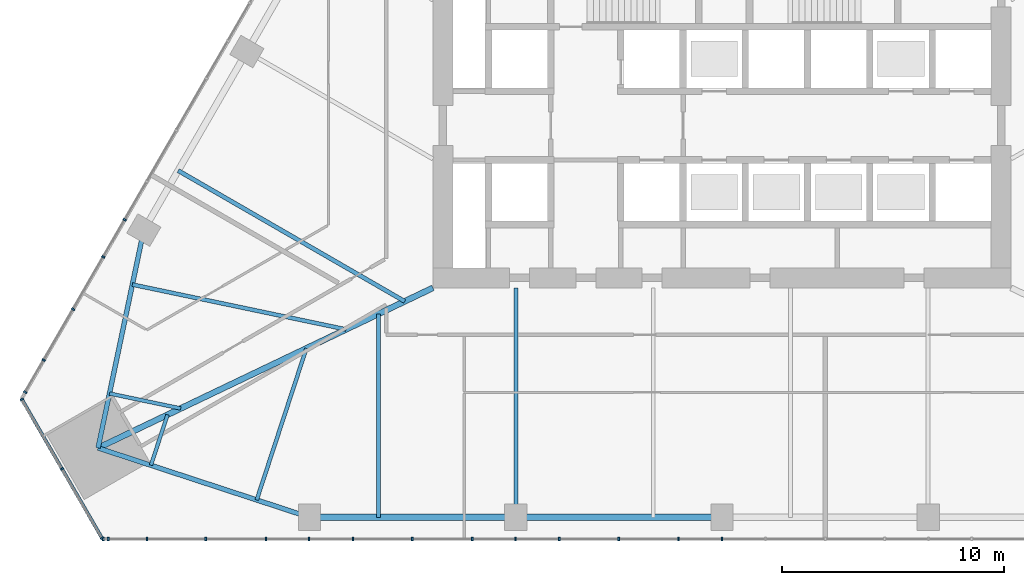
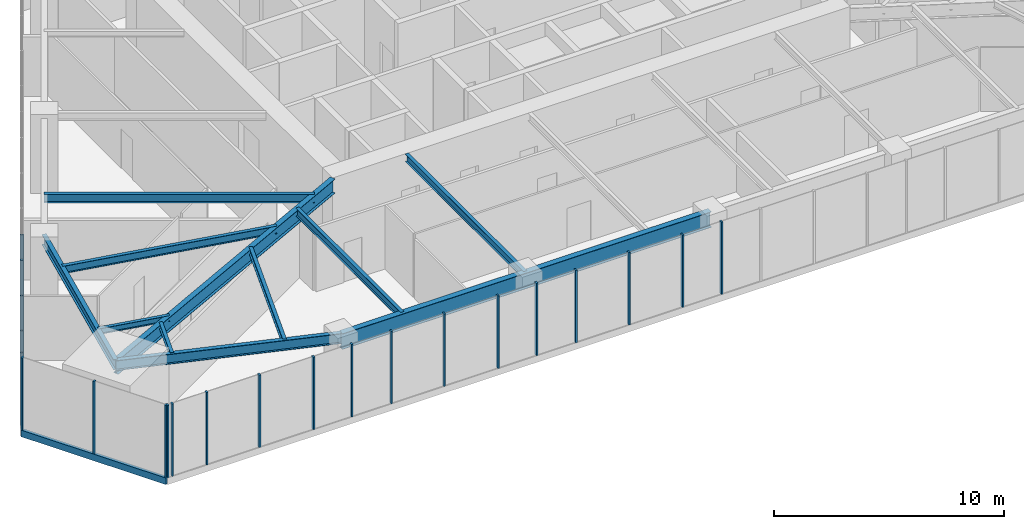
# One storey, part 2 of 22: 23 members, 11 beams, 3 elements without a shape of their own.
"""IFC4 building model written with IfcOpenShell, lengths in metres."""

import ifcopenshell
import ifcopenshell.guid

model = None  # the IFC model being written
_history = None  # IfcOwnerHistory: only IFC2X3 demands one
_inside = {}  # id of a spatial element -> (the spatial element, [elements in it])
_under = {}  # id of a project, library or spatial element -> (it, [spatial elements below it])
_declared = {}  # id of a project -> (the project, [libraries it declares])
_typed = {}  # id of a type object -> (the type object, [elements of that type])
_made_of = {}  # id of a material, layer set ... -> (it, [elements and type objects made of it])


def new_model(schema):
    """Start an empty IFC model of exactly this schema.

    Asked for "IFC4X3", IfcOpenShell would pick the latest addendum, in which some entities
    have other attributes; the version numbers below select the first issue.
    IFC2X3 requires an IfcOwnerHistory on every rooted entity: one is made here for all.
    """
    global model, _history
    if schema == "IFC4X3":
        model = ifcopenshell.file(schema_version=(4, 3, 0, 0))
    else:
        model = ifcopenshell.file(schema=schema)
    _inside.clear()
    _under.clear()
    _declared.clear()
    _typed.clear()
    _made_of.clear()
    _history = None
    if model.schema == "IFC2X3":
        org = make("IfcOrganization", Name="unknown")
        user = make(
            "IfcPersonAndOrganization",
            ThePerson=make("IfcPerson", FamilyName="unknown"),
            TheOrganization=org,
        )
        app = make(
            "IfcApplication",
            ApplicationDeveloper=org,
            Version="unknown",
            ApplicationFullName="unknown",
            ApplicationIdentifier="unknown",
        )
        _history = make(
            "IfcOwnerHistory",
            OwningUser=user,
            OwningApplication=app,
            ChangeAction="ADDED",
            CreationDate=0,
        )
    return model


def make(cls, **values):
    """One entity of the class cls with the attributes given. An attribute that is None is left unset."""
    return model.create_entity(
        cls, **{name: value for name, value in values.items() if value is not None}
    )


def rooted(cls, **values):
    """An entity with a GlobalId (a new one), such as an element, a storey or a relation."""
    return make(cls, GlobalId=ifcopenshell.guid.new(), OwnerHistory=_history, **values)


def si_unit(unit_type, name, prefix=None):
    """IfcSIUnit, for example si_unit("LENGTHUNIT", "METRE", prefix="MILLI")."""
    return make("IfcSIUnit", UnitType=unit_type, Prefix=prefix, Name=name)


def assignment(units):
    """IfcUnitAssignment: the units of a project."""
    return None if units is None else make("IfcUnitAssignment", Units=units)


def point(xyz):
    """IfcCartesianPoint."""
    return None if xyz is None else make("IfcCartesianPoint", Coordinates=xyz)


def direction(xyz):
    """IfcDirection."""
    return None if xyz is None else make("IfcDirection", DirectionRatios=xyz)


def frame(location, z_axis=None, x_axis=None):
    """IfcAxis2Placement3D, a coordinate frame: its origin and axes. An axis left out is left unset."""
    return make(
        "IfcAxis2Placement3D",
        Location=point(location),
        Axis=direction(z_axis),
        RefDirection=direction(x_axis),
    )


def frame_2d(location, x_axis=None):
    """IfcAxis2Placement2D, a coordinate frame in the plane: its origin and x axis."""
    return make(
        "IfcAxis2Placement2D", Location=point(location), RefDirection=direction(x_axis)
    )


def origin():
    """The frame at (0, 0, 0) with its axes left unset."""
    return frame((0.0, 0.0, 0.0))


def origin_2d():
    """The frame at (0, 0) in the plane with its x axis left unset."""
    return frame_2d((0.0, 0.0))


def place(relative_to, where):
    """IfcLocalPlacement: puts the frame where relative to a parent placement (None: the world)."""
    return make(
        "IfcLocalPlacement", PlacementRelTo=relative_to, RelativePlacement=where
    )


def context(
    kind, dimensions, precision=None, world=None, true_north=None, identifier=None
):
    """IfcGeometricRepresentationContext, for example the 3D "Model" context."""
    return make(
        "IfcGeometricRepresentationContext",
        ContextIdentifier=identifier,
        ContextType=kind,
        CoordinateSpaceDimension=dimensions,
        Precision=precision,
        WorldCoordinateSystem=world,
        TrueNorth=true_north,
    )


def subcontext(parent, identifier, kind, view, scale=None):
    """IfcGeometricRepresentationSubContext, for example "Body" below "Model"."""
    return make(
        "IfcGeometricRepresentationSubContext",
        ContextIdentifier=identifier,
        ContextType=kind,
        ParentContext=parent,
        TargetScale=scale,
        TargetView=view,
    )


def project(units=None, contexts=None):
    """IfcProject with its units and contexts."""
    return rooted(
        "IfcProject",
        Name="project",
        RepresentationContexts=contexts,
        UnitsInContext=assignment(units),
    )


def spatial(cls, under=None, at=None, **own):
    """A site, building, storey or space (cls), placed at a placement, below another one or the project."""
    s = rooted(cls, ObjectPlacement=at, **own)
    if under is not None:
        _under.setdefault(under.id(), (under, []))[1].append(s)
    return s


def profile(cls, at=None, kind="AREA", **sizes):
    """A parametric profile (cls). Its sizes go by their IFC names, for example OverallWidth=200.0."""
    return make(cls, ProfileType=kind, Position=at, **sizes)


def rectangle(**sizes):
    """IfcRectangleProfileDef."""
    return profile("IfcRectangleProfileDef", **sizes)


def i_section(**sizes):
    """IfcIShapeProfileDef."""
    return profile("IfcIShapeProfileDef", **sizes)


def extrude(swept, where, along, depth):
    """IfcExtrudedAreaSolid: the profile swept, set in the frame where, extruded along a direction by depth."""
    return make(
        "IfcExtrudedAreaSolid",
        SweptArea=swept,
        Position=where,
        ExtrudedDirection=direction(along),
        Depth=depth,
    )


def shape(context_of_items, identifier, shape_type, items):
    """IfcShapeRepresentation: the items that make up one representation, for example the "Body"."""
    return make(
        "IfcShapeRepresentation",
        ContextOfItems=context_of_items,
        RepresentationIdentifier=identifier,
        RepresentationType=shape_type,
        Items=items,
    )


def material(Name=None, Category=None):
    """IfcMaterial."""
    return make("IfcMaterial", Name=Name, Category=Category)


def layer(
    of_material, thickness, ventilated=None, Name=None, Category=None, Priority=None
):
    """IfcMaterialLayer: one layer of a wall or slab, of a material (None: an air gap)."""
    return make(
        "IfcMaterialLayer",
        Material=of_material,
        LayerThickness=thickness,
        IsVentilated=ventilated,
        Name=Name,
        Category=Category,
        Priority=Priority,
    )


def layer_set(layers, Name=None):
    """IfcMaterialLayerSet."""
    return make("IfcMaterialLayerSet", MaterialLayers=layers, LayerSetName=Name)


def material_profile(
    of_material, cross_section, Name=None, Category=None, Priority=None
):
    """IfcMaterialProfile: a cross section and its material."""
    return make(
        "IfcMaterialProfile",
        Name=Name,
        Material=of_material,
        Profile=cross_section,
        Priority=Priority,
        Category=Category,
    )


def profile_set(profiles, Name=None, composite=None):
    """IfcMaterialProfileSet."""
    return make(
        "IfcMaterialProfileSet",
        Name=Name,
        MaterialProfiles=profiles,
        CompositeProfile=composite,
    )


def made_of(thing, what):
    """Note that an element or type object is made of a material, layer set ...; save() writes the relation."""
    if what is not None:
        _made_of.setdefault(what.id(), (what, []))[1].append(thing)
    return thing


def type_object(cls, material=None, **own):
    """A type object (cls), such as IfcWallType, which elements share."""
    return made_of(rooted(cls, **own), material)


def element(
    cls,
    number,
    at=None,
    inside=None,
    cuts=None,
    type_object=None,
    material=None,
    context=None,
    identifier="Body",
    shape_type=None,
    held_by="IfcProductDefinitionShape",
    body=None,
    shapes=None,
    **own,
):
    """One element of the class cls, such as IfcWall. Its Tag is "e" and its number.

    at: its placement. inside: the storey or other place that contains it. cuts: it is an
    opening in that element (IfcRelVoidsElement). A single representation is given by context,
    identifier, shape_type and body (its items); several are given by shapes. held_by: the class
    of the entity that holds the representations. save() writes the other relations.
    """
    e = rooted(cls, Tag="e%d" % number, ObjectPlacement=at, **own)
    if body is not None:
        shapes = [shape(context, identifier, shape_type, body)]
    if shapes is not None:
        e.Representation = make(held_by, Representations=shapes)
    if inside is not None:
        _inside.setdefault(inside.id(), (inside, []))[1].append(e)
    if cuts is not None:
        rooted(
            "IfcRelVoidsElement", RelatingBuildingElement=cuts, RelatedOpeningElement=e
        )
    if type_object is not None:
        _typed.setdefault(type_object.id(), (type_object, []))[1].append(e)
    return made_of(e, material)


def aggregate(whole, parts):
    """IfcRelAggregates: a whole, such as a stair, and the parts it consists of."""
    return rooted("IfcRelAggregates", RelatingObject=whole, RelatedObjects=parts)


def save(model, path):
    """Write the relations noted so far, then the file.

    IfcRelAggregates (storeys below a building ...), IfcRelContainedInSpatialStructure (elements
    in a storey), IfcRelDefinesByType, IfcRelAssociatesMaterial and IfcRelDeclares: one each for
    every whole, place, type object, material and project.
    """
    for whole, parts in _under.values():
        aggregate(whole, parts)
    for where, things in _inside.values():
        rooted(
            "IfcRelContainedInSpatialStructure",
            RelatedElements=things,
            RelatingStructure=where,
        )
    for kind, things in _typed.values():
        rooted("IfcRelDefinesByType", RelatedObjects=things, RelatingType=kind)
    for what, things in _made_of.values():
        rooted("IfcRelAssociatesMaterial", RelatedObjects=things, RelatingMaterial=what)
    for by, libraries in _declared.values():
        rooted("IfcRelDeclares", RelatingContext=by, RelatedDefinitions=libraries)
    model.write(path)


model = new_model("IFC4")

# Units and contexts
model_context = context("Model", 3, precision=1e-05, world=origin(), true_north=direction((0.0, 1.0)))
body_context = subcontext(model_context, "Body", "Model", "MODEL_VIEW")
ifc_project = project(units=[si_unit("LENGTHUNIT", "METRE"), si_unit("AREAUNIT", "SQUARE_METRE"), si_unit("VOLUMEUNIT", "CUBIC_METRE"), si_unit("PLANEANGLEUNIT", "RADIAN"), si_unit("MASSUNIT", "GRAM", prefix="KILO")], contexts=[model_context])

# Site, building, storey
site_placement = place(None, origin())
site = spatial("IfcSite", under=ifc_project, at=site_placement, CompositionType="ELEMENT")
building_placement = place(site_placement, origin())
building = spatial("IfcBuilding", under=site, at=building_placement, Name="Firuza Gate Tower and Library", CompositionType="ELEMENT")
storey_placement = place(building_placement, frame((0.0, 0.0, 128.199951171875)))
storey = spatial("IfcBuildingStorey", under=building, at=storey_placement, Name="L29", CompositionType="ELEMENT", Elevation=128.199951171875)

# Curtain wall, members
ifc_material_1 = material(Name="Aluminium 6063-T6", Category="aluminium")
ifc_layer_1 = layer(ifc_material_1, 0.14990234375)
ifc_layer_set_1 = layer_set([ifc_layer_1], Name="Unitised curtain wall, offices")
curtain_wall_type_1 = type_object("IfcCurtainWallType", Name="Unitised curtain wall, offices", PredefinedType="NOTDEFINED", material=ifc_layer_set_1)
placement = place(storey_placement, origin())
curtain_wall_1 = element("IfcCurtainWall", 1, at=placement, inside=storey, type_object=curtain_wall_type_1, Name="CW1 L29 S face", PredefinedType="NOTDEFINED")
ifc_material_2 = material(Name="Aluminium 6063-T6", Category="aluminium")
ifc_material_profile_1 = material_profile(ifc_material_2, rectangle(XDim=0.14990234375, YDim=0.080078125, at=origin_2d()))
ifc_profile_set_1 = profile_set([ifc_material_profile_1], Name="Aluminium 6063-T6")
member_type_1 = type_object("IfcMemberType", Name="Curtain wall mullion 80x150", PredefinedType="MULLION", material=ifc_profile_set_1)
member_1_placement = place(storey_placement, frame((47.179931640625, 54.7080078125, 0.150146484375), z_axis=(0.0, 0.0, 1.0), x_axis=(0.0, 1.0, 0.0)))
member_1 = element("IfcMember", 2, at=member_1_placement, type_object=member_type_1, Name="Mullion", PredefinedType="MULLION", context=body_context, shape_type="SweptSolid", body=[
    extrude(rectangle(XDim=0.14990234375, YDim=0.080078125, at=origin_2d()), origin(), (0.0, 0.0, 1.0), 3.849853515625),
])
member_2_placement = place(storey_placement, frame((51.783203125, 54.7080078125, 0.150146484375), z_axis=(0.0, 0.0, 1.0), x_axis=(0.0, 1.0, 0.0)))
member_2 = element("IfcMember", 3, at=member_2_placement, type_object=member_type_1, Name="Mullion", PredefinedType="MULLION", context=body_context, shape_type="SweptSolid", body=[
    extrude(rectangle(XDim=0.14990234375, YDim=0.080078125, at=origin_2d()), origin(), (0.0, 0.0, 1.0), 3.849853515625),
])
member_3_placement = place(storey_placement, frame((56.426513671875, 54.7080078125, 0.150146484375), z_axis=(0.0, 0.0, 1.0), x_axis=(0.0, 1.0, 0.0)))
member_3 = element("IfcMember", 4, at=member_3_placement, type_object=member_type_1, Name="Mullion", PredefinedType="MULLION", context=body_context, shape_type="SweptSolid", body=[
    extrude(rectangle(XDim=0.14990234375, YDim=0.080078125, at=origin_2d()), origin(), (0.0, 0.0, 1.0), 3.849853515625),
])
member_4_placement = place(storey_placement, frame((61.06982421875, 54.7080078125, 0.150146484375), z_axis=(0.0, 0.0, 1.0), x_axis=(0.0, 1.0, 0.0)))
member_4 = element("IfcMember", 5, at=member_4_placement, type_object=member_type_1, Name="Mullion", PredefinedType="MULLION", context=body_context, shape_type="SweptSolid", body=[
    extrude(rectangle(XDim=0.14990234375, YDim=0.080078125, at=origin_2d()), origin(), (0.0, 0.0, 1.0), 3.849853515625),
])
member_5_placement = place(storey_placement, frame((65.71337890625, 54.7080078125, 0.150146484375), z_axis=(0.0, 0.0, 1.0), x_axis=(0.0, 1.0, 0.0)))
member_5 = element("IfcMember", 6, at=member_5_placement, type_object=member_type_1, Name="Mullion", PredefinedType="MULLION", context=body_context, shape_type="SweptSolid", body=[
    extrude(rectangle(XDim=0.14990234375, YDim=0.080078125, at=origin_2d()), origin(), (0.0, 0.0, 1.0), 3.849853515625),
])
member_6_placement = place(storey_placement, frame((70.356689453125, 54.7080078125, 0.150146484375), z_axis=(0.0, 0.0, 1.0), x_axis=(0.0, 1.0, 0.0)))
member_6 = element("IfcMember", 7, at=member_6_placement, type_object=member_type_1, Name="Mullion", PredefinedType="MULLION", context=body_context, shape_type="SweptSolid", body=[
    extrude(rectangle(XDim=0.14990234375, YDim=0.080078125, at=origin_2d()), origin(), (0.0, 0.0, 1.0), 3.849853515625),
])
member_7_placement = place(storey_placement, frame((75.0, 54.7080078125, 0.150146484375), z_axis=(0.0, 0.0, 1.0), x_axis=(0.0, 1.0, 0.0)))
member_7 = element("IfcMember", 8, at=member_7_placement, type_object=member_type_1, Name="Mullion", PredefinedType="MULLION", context=body_context, shape_type="SweptSolid", body=[
    extrude(rectangle(XDim=0.14990234375, YDim=0.080078125, at=origin_2d()), origin(), (0.0, 0.0, 1.0), 3.849853515625),
])
member_8_placement = place(storey_placement, frame((47.406005859375, 54.7080078125, 0.150146484375), z_axis=(0.0, 0.0, 1.0), x_axis=(0.0, 1.0, 0.0)))
member_8 = element("IfcMember", 9, at=member_8_placement, type_object=member_type_1, Name="Mullion", PredefinedType="MULLION", context=body_context, shape_type="SweptSolid", body=[
    extrude(rectangle(XDim=0.14990234375, YDim=0.080078125, at=origin_2d()), origin(), (0.0, 0.0, 1.0), 3.849853515625),
])
member_9_placement = place(storey_placement, frame((49.13916015625, 54.7080078125, 0.150146484375), z_axis=(0.0, 0.0, 1.0), x_axis=(0.0, 1.0, 0.0)))
member_9 = element("IfcMember", 10, at=member_9_placement, type_object=member_type_1, Name="Mullion", PredefinedType="MULLION", context=body_context, shape_type="SweptSolid", body=[
    extrude(rectangle(XDim=0.14990234375, YDim=0.080078125, at=origin_2d()), origin(), (0.0, 0.0, 1.0), 3.849853515625),
])
member_10_placement = place(storey_placement, frame((54.499267578125, 54.7080078125, 0.150146484375), z_axis=(0.0, 0.0, 1.0), x_axis=(0.0, 1.0, 0.0)))
member_10 = element("IfcMember", 11, at=member_10_placement, type_object=member_type_1, Name="Mullion", PredefinedType="MULLION", context=body_context, shape_type="SweptSolid", body=[
    extrude(rectangle(XDim=0.14990234375, YDim=0.080078125, at=origin_2d()), origin(), (0.0, 0.0, 1.0), 3.849853515625),
])
member_11_placement = place(storey_placement, frame((58.41162109375, 54.7080078125, 0.150146484375), z_axis=(0.0, 0.0, 1.0), x_axis=(0.0, 1.0, 0.0)))
member_11 = element("IfcMember", 12, at=member_11_placement, type_object=member_type_1, Name="Mullion", PredefinedType="MULLION", context=body_context, shape_type="SweptSolid", body=[
    extrude(rectangle(XDim=0.14990234375, YDim=0.080078125, at=origin_2d()), origin(), (0.0, 0.0, 1.0), 3.849853515625),
])
member_12_placement = place(storey_placement, frame((63.771728515625, 54.7080078125, 0.150146484375), z_axis=(0.0, 0.0, 1.0), x_axis=(0.0, 1.0, 0.0)))
member_12 = element("IfcMember", 13, at=member_12_placement, type_object=member_type_1, Name="Mullion", PredefinedType="MULLION", context=body_context, shape_type="SweptSolid", body=[
    extrude(rectangle(XDim=0.14990234375, YDim=0.080078125, at=origin_2d()), origin(), (0.0, 0.0, 1.0), 3.849853515625),
])
member_13_placement = place(storey_placement, frame((67.683837890625, 54.7080078125, 0.150146484375), z_axis=(0.0, 0.0, 1.0), x_axis=(0.0, 1.0, 0.0)))
member_13 = element("IfcMember", 14, at=member_13_placement, type_object=member_type_1, Name="Mullion", PredefinedType="MULLION", context=body_context, shape_type="SweptSolid", body=[
    extrude(rectangle(XDim=0.14990234375, YDim=0.080078125, at=origin_2d()), origin(), (0.0, 0.0, 1.0), 3.849853515625),
])
member_14_placement = place(storey_placement, frame((73.0439453125, 54.7080078125, 0.150146484375), z_axis=(0.0, 0.0, 1.0), x_axis=(0.0, 1.0, 0.0)))
member_14 = element("IfcMember", 15, at=member_14_placement, type_object=member_type_1, Name="Mullion", PredefinedType="MULLION", context=body_context, shape_type="SweptSolid", body=[
    extrude(rectangle(XDim=0.14990234375, YDim=0.080078125, at=origin_2d()), origin(), (0.0, 0.0, 1.0), 3.849853515625),
])
aggregate(curtain_wall_1, [member_1, member_2, member_3, member_4, member_5, member_6, member_7, member_8, member_9, member_10, member_11, member_12, member_13, member_14])

curtain_wall_2 = element("IfcCurtainWall", 16, at=placement, inside=storey, type_object=curtain_wall_type_1, Name="CW1 L29 W face", PredefinedType="NOTDEFINED")
member_15_placement = place(storey_placement, frame((48.139892578125, 69.06103515625, 0.150146484375), z_axis=(0.0, 0.0, 1.0), x_axis=(0.866025403784, -0.5, 0.0)))
member_15 = element("IfcMember", 17, at=member_15_placement, type_object=member_type_1, Name="Mullion", PredefinedType="MULLION", context=body_context, shape_type="SweptSolid", body=[
    extrude(rectangle(XDim=0.14990234375, YDim=0.080078125, at=origin_2d()), origin(), (0.0, 0.0, 1.0), 3.849853515625),
])
member_16_placement = place(storey_placement, frame((45.818115234375, 65.03955078125, 0.150146484375), z_axis=(0.0, 0.0, 1.0), x_axis=(0.866025403784, -0.5, 0.0)))
member_16 = element("IfcMember", 18, at=member_16_placement, type_object=member_type_1, Name="Mullion", PredefinedType="MULLION", context=body_context, shape_type="SweptSolid", body=[
    extrude(rectangle(XDim=0.14990234375, YDim=0.080078125, at=origin_2d()), origin(), (0.0, 0.0, 1.0), 3.849853515625),
])
member_17_placement = place(storey_placement, frame((47.17626953125, 67.391845703125, 0.150146484375), z_axis=(0.0, 0.0, 1.0), x_axis=(0.866025403784, -0.5, 0.0)))
member_17 = element("IfcMember", 19, at=member_17_placement, type_object=member_type_1, Name="Mullion", PredefinedType="MULLION", context=body_context, shape_type="SweptSolid", body=[
    extrude(rectangle(XDim=0.14990234375, YDim=0.080078125, at=origin_2d()), origin(), (0.0, 0.0, 1.0), 3.849853515625),
])
member_18_placement = place(storey_placement, frame((44.496337890625, 62.75, 0.150146484375), z_axis=(0.0, 0.0, 1.0), x_axis=(0.866025403784, -0.5, 0.0)))
member_18 = element("IfcMember", 20, at=member_18_placement, type_object=member_type_1, Name="Mullion", PredefinedType="MULLION", context=body_context, shape_type="SweptSolid", body=[
    extrude(rectangle(XDim=0.14990234375, YDim=0.080078125, at=origin_2d()), origin(), (0.0, 0.0, 1.0), 3.849853515625),
])
member_19_placement = place(storey_placement, frame((43.662109375, 61.30517578125, 0.150146484375), z_axis=(0.0, 0.0, 1.0), x_axis=(0.866025403784, -0.5, 0.0)))
member_19 = element("IfcMember", 21, at=member_19_placement, type_object=member_type_1, Name="Mullion", PredefinedType="MULLION", context=body_context, shape_type="SweptSolid", body=[
    extrude(rectangle(XDim=0.14990234375, YDim=0.080078125, at=origin_2d()), origin(), (0.0, 0.0, 1.0), 3.849853515625),
])
aggregate(curtain_wall_2, [member_15, member_16, member_17, member_18, member_19])

ifc_material_3 = material(Name="Aluminium 6063-T6", Category="aluminium")
ifc_layer_2 = layer(ifc_material_3, 0.14990234375)
ifc_layer_set_2 = layer_set([ifc_layer_2], Name="Corner curtain wall, chamfers")
curtain_wall_type_2 = type_object("IfcCurtainWallType", Name="Corner curtain wall, chamfers", PredefinedType="NOTDEFINED", material=ifc_layer_set_2)
curtain_wall_3 = element("IfcCurtainWall", 22, at=placement, inside=storey, type_object=curtain_wall_type_2, Name="CW4 L29 SW corner", PredefinedType="NOTDEFINED")
member_20_placement = place(storey_placement, frame((43.5166015625, 60.983642578125, 0.150146484375), z_axis=(0.0, 0.0, 1.0), x_axis=(0.866025403784, 0.5, 0.0)))
member_20 = element("IfcMember", 23, at=member_20_placement, type_object=member_type_1, Name="Mullion", PredefinedType="MULLION", context=body_context, shape_type="SweptSolid", body=[
    extrude(rectangle(XDim=0.14990234375, YDim=0.080078125, at=origin_2d()), origin(), (0.0, 0.0, 1.0), 3.849853515625),
])
member_21_placement = place(storey_placement, frame((45.318115234375, 57.86328125, 0.150146484375), z_axis=(0.0, 0.0, 1.0), x_axis=(0.866025403784, 0.5, 0.0)))
member_21 = element("IfcMember", 24, at=member_21_placement, type_object=member_type_1, Name="Mullion", PredefinedType="MULLION", context=body_context, shape_type="SweptSolid", body=[
    extrude(rectangle(XDim=0.14990234375, YDim=0.080078125, at=origin_2d()), origin(), (0.0, 0.0, 1.0), 3.849853515625),
])
member_22_placement = place(storey_placement, frame((47.119873046875, 54.74267578125, 0.150146484375), z_axis=(0.0, 0.0, 1.0), x_axis=(0.866025403784, 0.5, 0.0)))
member_22 = element("IfcMember", 25, at=member_22_placement, type_object=member_type_1, Name="Mullion", PredefinedType="MULLION", context=body_context, shape_type="SweptSolid", body=[
    extrude(rectangle(XDim=0.14990234375, YDim=0.080078125, at=origin_2d()), origin(), (0.0, 0.0, 1.0), 3.849853515625),
])
ifc_material_4 = material(Name="Aluminium 6063-T6", Category="aluminium")
ifc_material_profile_2 = material_profile(ifc_material_4, rectangle(XDim=0.14990234375, YDim=0.35009765625, at=origin_2d()))
ifc_profile_set_2 = profile_set([ifc_material_profile_2], Name="Aluminium 6063-T6")
member_type_2 = type_object("IfcMemberType", Name="Curtain wall transom 350x150", PredefinedType="USERDEFINED", material=ifc_profile_set_2)
member_23_placement = place(storey_placement, frame((43.49658203125, 61.018310546875, -0.02490234375), z_axis=(0.500005719219, -0.866022101766, 0.0), x_axis=(0.866022101766, 0.500005719219, 0.0)))
member_23 = element("IfcMember", 26, at=member_23_placement, type_object=member_type_2, Name="Transom", ObjectType="TRANSOM", PredefinedType="USERDEFINED", context=body_context, shape_type="SweptSolid", body=[
    extrude(rectangle(XDim=0.14990234375, YDim=0.35009765625, at=origin_2d()), origin(), (0.0, 0.0, 1.0), 7.28662109375),
])
aggregate(curtain_wall_3, [member_20, member_21, member_22, member_23])

# Beams
ifc_material_5 = material(Name="Steel S355", Category="steel")
ifc_material_profile_3 = material_profile(ifc_material_5, i_section(OverallWidth=0.1650390625, OverallDepth=0.31005859375, WebThickness=0.005859375, FlangeThickness=0.009765625, at=origin_2d()))
ifc_profile_set_3 = profile_set([ifc_material_profile_3], Name="Steel S355")
beam_type_1 = type_object("IfcBeamType", Name="W310x39 Floor beam", PredefinedType="JOIST", material=ifc_profile_set_3)
beam_1_placement = place(storey_placement, frame((47.4560546875, 61.250244140625, 3.844970703125), z_axis=(0.978668348175, -0.2054464998, 0.0), x_axis=(0.2054464998, 0.978668348175, 0.0)))
element("IfcBeam", 27, at=beam_1_placement, inside=storey, type_object=beam_type_1, Name="Floor beam L29 s01", PredefinedType="JOIST", context=body_context, shape_type="SweptSolid", body=[
    extrude(i_section(OverallWidth=0.1650390625, OverallDepth=0.31005859375, WebThickness=0.005859375, FlangeThickness=0.009765625, at=origin_2d()), origin(), (0.0, 0.0, 1.0), 3.272705078125),
])
beam_2_placement = place(storey_placement, frame((49.3203125, 58.021240234375, 3.844970703125), z_axis=(0.311446407366, 0.950263718837, 0.0), x_axis=(-0.950263718837, 0.311446407366, 0.0)))
element("IfcBeam", 28, at=beam_2_placement, inside=storey, type_object=beam_type_1, Name="Floor beam L29 s10", PredefinedType="JOIST", context=body_context, shape_type="SweptSolid", body=[
    extrude(i_section(OverallWidth=0.1650390625, OverallDepth=0.31005859375, WebThickness=0.005859375, FlangeThickness=0.009765625, at=origin_2d()), origin(), (0.0, 0.0, 1.0), 2.3916015625),
])
ifc_material_6 = material(Name="Steel S355", Category="steel")
ifc_material_profile_4 = material_profile(ifc_material_6, i_section(OverallWidth=0.1708984375, OverallDepth=0.35498046875, WebThickness=0.007080078125, FlangeThickness=0.01171875, at=origin_2d()))
ifc_profile_set_4 = profile_set([ifc_material_profile_4], Name="Steel S355")
beam_type_2 = type_object("IfcBeamType", Name="W360x51 Floor beam", PredefinedType="JOIST", material=ifc_profile_set_4)
beam_3_placement = place(storey_placement, frame((54.0771484375, 56.46240234375, 3.822509765625), z_axis=(0.311395022273, 0.950280558627, 0.0), x_axis=(-0.950280558627, 0.311395022273, 0.0)))
element("IfcBeam", 29, at=beam_3_placement, inside=storey, type_object=beam_type_2, Name="Floor beam L29 s11", PredefinedType="JOIST", context=body_context, shape_type="SweptSolid", body=[
    extrude(i_section(OverallWidth=0.1708984375, OverallDepth=0.35498046875, WebThickness=0.007080078125, FlangeThickness=0.01171875, at=origin_2d()), origin(), (0.0, 0.0, 1.0), 7.174560546875),
])
ifc_material_7 = material(Name="Steel S355", Category="steel")
ifc_material_profile_5 = material_profile(ifc_material_7, i_section(OverallWidth=0.177978515625, OverallDepth=0.406982421875, WebThickness=0.0078125, FlangeThickness=0.0126953125, at=origin_2d()))
ifc_profile_set_5 = profile_set([ifc_material_profile_5], Name="Steel S355")
beam_type_3 = type_object("IfcBeamType", Name="W410x60 Floor beam", PredefinedType="JOIST", material=ifc_profile_set_5)
beam_4_placement = place(storey_placement, frame((48.484619140625, 66.14892578125, 3.796630859375), z_axis=(0.978672298286, -0.205427682085, 0.0), x_axis=(0.205427682085, 0.978672298286, 0.0)))
element("IfcBeam", 30, at=beam_4_placement, inside=storey, type_object=beam_type_3, Name="Floor beam L29 s00", PredefinedType="JOIST", context=body_context, shape_type="SweptSolid", body=[
    extrude(i_section(OverallWidth=0.177978515625, OverallDepth=0.406982421875, WebThickness=0.0078125, FlangeThickness=0.0126953125, at=origin_2d()), origin(), (0.0, 0.0, 1.0), 9.81787109375),
])
beam_5_placement = place(storey_placement, frame((59.546142578125, 55.68310546875, 3.796630859375), z_axis=(0.0, 1.0, 0.0), x_axis=(-1.0, 0.0, 0.0)))
element("IfcBeam", 31, at=beam_5_placement, inside=storey, type_object=beam_type_3, Name="Floor beam L29 s20", PredefinedType="JOIST", context=body_context, shape_type="SweptSolid", body=[
    extrude(i_section(OverallWidth=0.177978515625, OverallDepth=0.406982421875, WebThickness=0.0078125, FlangeThickness=0.0126953125, at=origin_2d()), origin(), (0.0, 0.0, 1.0), 9.143798828125),
])
beam_6_placement = place(storey_placement, frame((65.727783203125, 55.68310546875, 3.796630859375), z_axis=(0.0, 1.0, 0.0), x_axis=(-1.0, 0.0, 0.0)))
element("IfcBeam", 32, at=beam_6_placement, inside=storey, type_object=beam_type_3, Name="Floor beam L29 s21", PredefinedType="JOIST", context=body_context, shape_type="SweptSolid", body=[
    extrude(i_section(OverallWidth=0.177978515625, OverallDepth=0.406982421875, WebThickness=0.0078125, FlangeThickness=0.0126953125, at=origin_2d()), origin(), (0.0, 0.0, 1.0), 10.31689453125),
])
ifc_material_8 = material(Name="Steel S355", Category="steel")
ifc_material_profile_6 = material_profile(ifc_material_8, i_section(OverallWidth=0.18994140625, OverallDepth=0.45703125, WebThickness=0.009033203125, FlangeThickness=0.014404296875, at=origin_2d()))
ifc_profile_set_6 = profile_set([ifc_material_profile_6], Name="Steel S355")
beam_type_4 = type_object("IfcBeamType", Name="W460x74 Floor beam", PredefinedType="JOIST", material=ifc_profile_set_6)
beam_7_placement = place(storey_placement, frame((50.544189453125, 71.275146484375, 3.771484375), z_axis=(0.866026254694, -0.499998526178, 0.0), x_axis=(0.499998526178, 0.866026254694, 0.0)))
element("IfcBeam", 33, at=beam_7_placement, inside=storey, type_object=beam_type_4, Name="Floor beam L29 s85", PredefinedType="JOIST", context=body_context, shape_type="SweptSolid", body=[
    extrude(i_section(OverallWidth=0.18994140625, OverallDepth=0.45703125, WebThickness=0.009033203125, FlangeThickness=0.014404296875, at=origin_2d()), origin(), (0.0, 0.0, 1.0), 11.76318359375),
])
ifc_material_9 = material(Name="Steel S355", Category="steel")
ifc_material_profile_7 = material_profile(ifc_material_9, i_section(OverallWidth=0.212890625, OverallDepth=0.5390625, WebThickness=0.01171875, FlangeThickness=0.018798828125, at=origin_2d()))
ifc_profile_set_7 = profile_set([ifc_material_profile_7], Name="Steel S355")
beam_type_5 = type_object("IfcBeamType", Name="W530x109 Edge beam", PredefinedType="SPANDREL", material=ifc_profile_set_7)
for number, where, z_axis, x_axis, name in (
    (34, (48.998779296875, 68.598388671875, 3.73046875), (-0.205458608485, -0.978665806187, 0.0), (0.978665806187, -0.205458608485, 0.0), "Edge beam L29 e00"),
    (35, (46.94189453125, 58.80078125, 3.73046875), (0.950273322164, -0.311417104833, 0.0), (0.311417104833, 0.950273322164, 0.0), "Edge beam L29 e10"),
):
    element("IfcBeam", number, at=place(storey_placement, frame(where, z_axis=z_axis, x_axis=x_axis)), inside=storey, type_object=beam_type_5, Name=name, PredefinedType="SPANDREL", context=body_context, shape_type="SweptSolid", body=[
        extrude(i_section(OverallWidth=0.212890625, OverallDepth=0.5390625, WebThickness=0.01171875, FlangeThickness=0.018798828125, at=origin_2d()), origin(), (0.0, 0.0, 1.0), 10.01123046875),
    ])
ifc_material_10 = material(Name="Steel S355", Category="steel")
ifc_material_profile_8 = material_profile(ifc_material_10, i_section(OverallWidth=0.264892578125, OverallDepth=0.7529296875, WebThickness=0.01318359375, FlangeThickness=0.01708984375, at=origin_2d()))
ifc_profile_set_8 = profile_set([ifc_material_profile_8], Name="Steel S355")
beam_type_6 = type_object("IfcBeamType", Name="W760x147 Girder", PredefinedType="BEAM", material=ifc_profile_set_8)
beam_8_placement = place(storey_placement, frame((46.94189453125, 58.80078125, 3.62353515625), z_axis=(0.902192138225, 0.431334378092, 0.0), x_axis=(-0.431334378092, 0.902192138225, 0.0)))
element("IfcBeam", 36, at=beam_8_placement, inside=storey, type_object=beam_type_6, Name="Girder L29 gSW", PredefinedType="BEAM", context=body_context, shape_type="SweptSolid", body=[
    extrude(i_section(OverallWidth=0.264892578125, OverallDepth=0.7529296875, WebThickness=0.01318359375, FlangeThickness=0.01708984375, at=origin_2d()), origin(), (0.0, 0.0, 1.0), 16.690673828125),
])
ifc_material_11 = material(Name="Steel S355", Category="steel")
ifc_material_profile_9 = material_profile(ifc_material_11, i_section(OverallWidth=0.2919921875, OverallDepth=0.8349609375, WebThickness=0.013916015625, FlangeThickness=0.018798828125, at=origin_2d()))
ifc_profile_set_9 = profile_set([ifc_material_profile_9], Name="Steel S355")
beam_type_7 = type_object("IfcBeamType", Name="W840x176 Edge beam", PredefinedType="SPANDREL", material=ifc_profile_set_9)
beam_9_placement = place(storey_placement, frame((56.455322265625, 55.68310546875, 3.58251953125), z_axis=(1.0, 0.0, 0.0), x_axis=(0.0, 1.0, 0.0)))
element("IfcBeam", 37, at=beam_9_placement, inside=storey, type_object=beam_type_7, Name="Edge beam L29 e20", PredefinedType="SPANDREL", context=body_context, shape_type="SweptSolid", body=[
    extrude(i_section(OverallWidth=0.2919921875, OverallDepth=0.8349609375, WebThickness=0.013916015625, FlangeThickness=0.018798828125, at=origin_2d()), origin(), (0.0, 0.0, 1.0), 18.544677734375),
])

save(model, "model.ifc")
